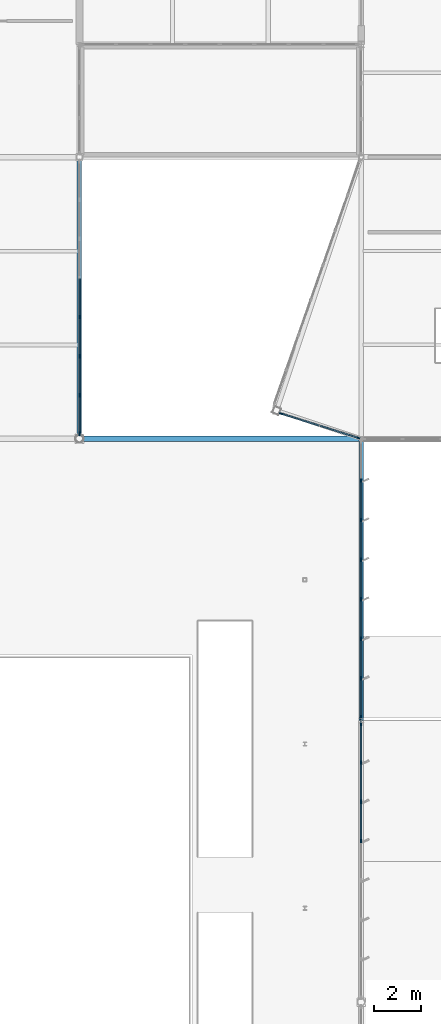
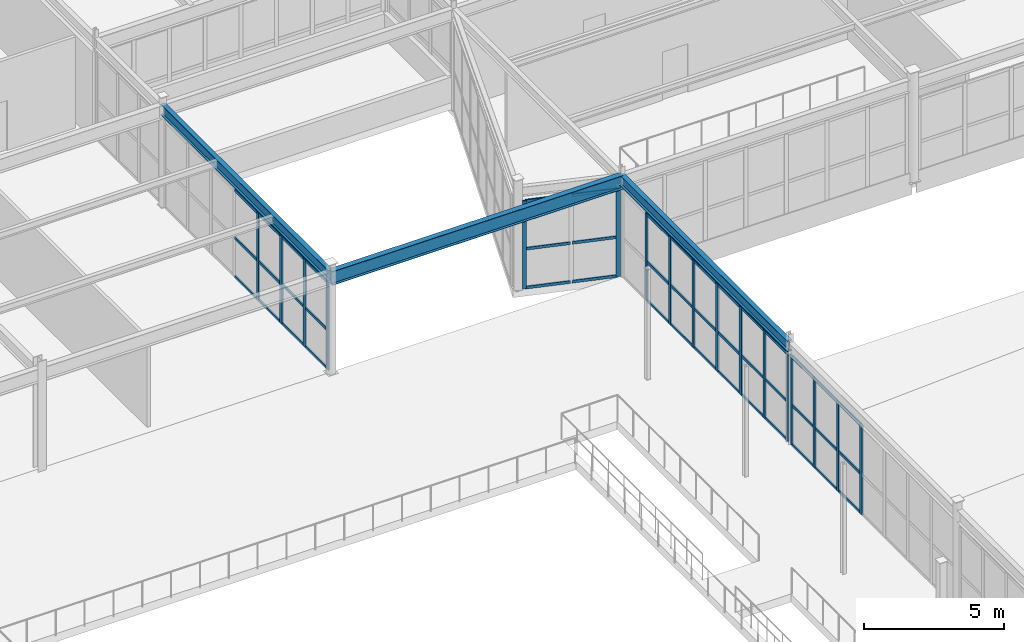
# One storey, part 120 of 226: 62 members, 3 beams, 4 elements without a shape of their own.
"""IFC4 building model written with IfcOpenShell, lengths in metres."""

import ifcopenshell
import ifcopenshell.guid

model = None  # the IFC model being written
_history = None  # IfcOwnerHistory: only IFC2X3 demands one
_inside = {}  # id of a spatial element -> (the spatial element, [elements in it])
_under = {}  # id of a project, library or spatial element -> (it, [spatial elements below it])
_declared = {}  # id of a project -> (the project, [libraries it declares])
_typed = {}  # id of a type object -> (the type object, [elements of that type])
_made_of = {}  # id of a material, layer set ... -> (it, [elements and type objects made of it])


def new_model(schema):
    """Start an empty IFC model of exactly this schema.

    Asked for "IFC4X3", IfcOpenShell would pick the latest addendum, in which some entities
    have other attributes; the version numbers below select the first issue.
    IFC2X3 requires an IfcOwnerHistory on every rooted entity: one is made here for all.
    """
    global model, _history
    if schema == "IFC4X3":
        model = ifcopenshell.file(schema_version=(4, 3, 0, 0))
    else:
        model = ifcopenshell.file(schema=schema)
    _inside.clear()
    _under.clear()
    _declared.clear()
    _typed.clear()
    _made_of.clear()
    _history = None
    if model.schema == "IFC2X3":
        org = make("IfcOrganization", Name="unknown")
        user = make(
            "IfcPersonAndOrganization",
            ThePerson=make("IfcPerson", FamilyName="unknown"),
            TheOrganization=org,
        )
        app = make(
            "IfcApplication",
            ApplicationDeveloper=org,
            Version="unknown",
            ApplicationFullName="unknown",
            ApplicationIdentifier="unknown",
        )
        _history = make(
            "IfcOwnerHistory",
            OwningUser=user,
            OwningApplication=app,
            ChangeAction="ADDED",
            CreationDate=0,
        )
    return model


def make(cls, **values):
    """One entity of the class cls with the attributes given. An attribute that is None is left unset."""
    return model.create_entity(
        cls, **{name: value for name, value in values.items() if value is not None}
    )


def rooted(cls, **values):
    """An entity with a GlobalId (a new one), such as an element, a storey or a relation."""
    return make(cls, GlobalId=ifcopenshell.guid.new(), OwnerHistory=_history, **values)


def si_unit(unit_type, name, prefix=None):
    """IfcSIUnit, for example si_unit("LENGTHUNIT", "METRE", prefix="MILLI")."""
    return make("IfcSIUnit", UnitType=unit_type, Prefix=prefix, Name=name)


def assignment(units):
    """IfcUnitAssignment: the units of a project."""
    return None if units is None else make("IfcUnitAssignment", Units=units)


def point(xyz):
    """IfcCartesianPoint."""
    return None if xyz is None else make("IfcCartesianPoint", Coordinates=xyz)


def direction(xyz):
    """IfcDirection."""
    return None if xyz is None else make("IfcDirection", DirectionRatios=xyz)


def frame(location, z_axis=None, x_axis=None):
    """IfcAxis2Placement3D, a coordinate frame: its origin and axes. An axis left out is left unset."""
    return make(
        "IfcAxis2Placement3D",
        Location=point(location),
        Axis=direction(z_axis),
        RefDirection=direction(x_axis),
    )


def frame_2d(location, x_axis=None):
    """IfcAxis2Placement2D, a coordinate frame in the plane: its origin and x axis."""
    return make(
        "IfcAxis2Placement2D", Location=point(location), RefDirection=direction(x_axis)
    )


def origin():
    """The frame at (0, 0, 0) with its axes left unset."""
    return frame((0.0, 0.0, 0.0))


def origin_2d():
    """The frame at (0, 0) in the plane with its x axis left unset."""
    return frame_2d((0.0, 0.0))


def place(relative_to, where):
    """IfcLocalPlacement: puts the frame where relative to a parent placement (None: the world)."""
    return make(
        "IfcLocalPlacement", PlacementRelTo=relative_to, RelativePlacement=where
    )


def context(
    kind, dimensions, precision=None, world=None, true_north=None, identifier=None
):
    """IfcGeometricRepresentationContext, for example the 3D "Model" context."""
    return make(
        "IfcGeometricRepresentationContext",
        ContextIdentifier=identifier,
        ContextType=kind,
        CoordinateSpaceDimension=dimensions,
        Precision=precision,
        WorldCoordinateSystem=world,
        TrueNorth=true_north,
    )


def subcontext(parent, identifier, kind, view, scale=None):
    """IfcGeometricRepresentationSubContext, for example "Body" below "Model"."""
    return make(
        "IfcGeometricRepresentationSubContext",
        ContextIdentifier=identifier,
        ContextType=kind,
        ParentContext=parent,
        TargetScale=scale,
        TargetView=view,
    )


def project(units=None, contexts=None):
    """IfcProject with its units and contexts."""
    return rooted(
        "IfcProject",
        Name="project",
        RepresentationContexts=contexts,
        UnitsInContext=assignment(units),
    )


def spatial(cls, under=None, at=None, **own):
    """A site, building, storey or space (cls), placed at a placement, below another one or the project."""
    s = rooted(cls, ObjectPlacement=at, **own)
    if under is not None:
        _under.setdefault(under.id(), (under, []))[1].append(s)
    return s


def profile(cls, at=None, kind="AREA", **sizes):
    """A parametric profile (cls). Its sizes go by their IFC names, for example OverallWidth=200.0."""
    return make(cls, ProfileType=kind, Position=at, **sizes)


def rectangle(**sizes):
    """IfcRectangleProfileDef."""
    return profile("IfcRectangleProfileDef", **sizes)


def i_section(**sizes):
    """IfcIShapeProfileDef."""
    return profile("IfcIShapeProfileDef", **sizes)


def extrude(swept, where, along, depth):
    """IfcExtrudedAreaSolid: the profile swept, set in the frame where, extruded along a direction by depth."""
    return make(
        "IfcExtrudedAreaSolid",
        SweptArea=swept,
        Position=where,
        ExtrudedDirection=direction(along),
        Depth=depth,
    )


def shape(context_of_items, identifier, shape_type, items):
    """IfcShapeRepresentation: the items that make up one representation, for example the "Body"."""
    return make(
        "IfcShapeRepresentation",
        ContextOfItems=context_of_items,
        RepresentationIdentifier=identifier,
        RepresentationType=shape_type,
        Items=items,
    )


def material(Name=None, Category=None):
    """IfcMaterial."""
    return make("IfcMaterial", Name=Name, Category=Category)


def layer(
    of_material, thickness, ventilated=None, Name=None, Category=None, Priority=None
):
    """IfcMaterialLayer: one layer of a wall or slab, of a material (None: an air gap)."""
    return make(
        "IfcMaterialLayer",
        Material=of_material,
        LayerThickness=thickness,
        IsVentilated=ventilated,
        Name=Name,
        Category=Category,
        Priority=Priority,
    )


def layer_set(layers, Name=None):
    """IfcMaterialLayerSet."""
    return make("IfcMaterialLayerSet", MaterialLayers=layers, LayerSetName=Name)


def material_profile(
    of_material, cross_section, Name=None, Category=None, Priority=None
):
    """IfcMaterialProfile: a cross section and its material."""
    return make(
        "IfcMaterialProfile",
        Name=Name,
        Material=of_material,
        Profile=cross_section,
        Priority=Priority,
        Category=Category,
    )


def profile_set(profiles, Name=None, composite=None):
    """IfcMaterialProfileSet."""
    return make(
        "IfcMaterialProfileSet",
        Name=Name,
        MaterialProfiles=profiles,
        CompositeProfile=composite,
    )


def made_of(thing, what):
    """Note that an element or type object is made of a material, layer set ...; save() writes the relation."""
    if what is not None:
        _made_of.setdefault(what.id(), (what, []))[1].append(thing)
    return thing


def type_object(cls, material=None, **own):
    """A type object (cls), such as IfcWallType, which elements share."""
    return made_of(rooted(cls, **own), material)


def element(
    cls,
    number,
    at=None,
    inside=None,
    cuts=None,
    type_object=None,
    material=None,
    context=None,
    identifier="Body",
    shape_type=None,
    held_by="IfcProductDefinitionShape",
    body=None,
    shapes=None,
    **own,
):
    """One element of the class cls, such as IfcWall. Its Tag is "e" and its number.

    at: its placement. inside: the storey or other place that contains it. cuts: it is an
    opening in that element (IfcRelVoidsElement). A single representation is given by context,
    identifier, shape_type and body (its items); several are given by shapes. held_by: the class
    of the entity that holds the representations. save() writes the other relations.
    """
    e = rooted(cls, Tag="e%d" % number, ObjectPlacement=at, **own)
    if body is not None:
        shapes = [shape(context, identifier, shape_type, body)]
    if shapes is not None:
        e.Representation = make(held_by, Representations=shapes)
    if inside is not None:
        _inside.setdefault(inside.id(), (inside, []))[1].append(e)
    if cuts is not None:
        rooted(
            "IfcRelVoidsElement", RelatingBuildingElement=cuts, RelatedOpeningElement=e
        )
    if type_object is not None:
        _typed.setdefault(type_object.id(), (type_object, []))[1].append(e)
    return made_of(e, material)


def aggregate(whole, parts):
    """IfcRelAggregates: a whole, such as a stair, and the parts it consists of."""
    return rooted("IfcRelAggregates", RelatingObject=whole, RelatedObjects=parts)


def save(model, path):
    """Write the relations noted so far, then the file.

    IfcRelAggregates (storeys below a building ...), IfcRelContainedInSpatialStructure (elements
    in a storey), IfcRelDefinesByType, IfcRelAssociatesMaterial and IfcRelDeclares: one each for
    every whole, place, type object, material and project.
    """
    for whole, parts in _under.values():
        aggregate(whole, parts)
    for where, things in _inside.values():
        rooted(
            "IfcRelContainedInSpatialStructure",
            RelatedElements=things,
            RelatingStructure=where,
        )
    for kind, things in _typed.values():
        rooted("IfcRelDefinesByType", RelatedObjects=things, RelatingType=kind)
    for what, things in _made_of.values():
        rooted("IfcRelAssociatesMaterial", RelatedObjects=things, RelatingMaterial=what)
    for by, libraries in _declared.values():
        rooted("IfcRelDeclares", RelatingContext=by, RelatedDefinitions=libraries)
    model.write(path)


model = new_model("IFC4")

# Units and contexts
model_context = context("Model", 3, precision=1e-05, world=origin(), true_north=direction((0.0, 1.0)))
body_context = subcontext(model_context, "Body", "Model", "MODEL_VIEW")
ifc_project = project(units=[si_unit("LENGTHUNIT", "METRE"), si_unit("AREAUNIT", "SQUARE_METRE"), si_unit("VOLUMEUNIT", "CUBIC_METRE"), si_unit("PLANEANGLEUNIT", "RADIAN"), si_unit("MASSUNIT", "GRAM", prefix="KILO")], contexts=[model_context])

# Site, building, storey
site_placement = place(None, origin())
site = spatial("IfcSite", under=ifc_project, at=site_placement, CompositionType="ELEMENT")
building_placement = place(site_placement, origin())
building = spatial("IfcBuilding", under=site, at=building_placement, Name="Tarnwether General Hospital", CompositionType="ELEMENT")
storey_placement = place(building_placement, frame((0.0, 0.0, 4.800048828125)))
storey = spatial("IfcBuildingStorey", under=building, at=storey_placement, Name="L01", CompositionType="ELEMENT", Elevation=4.800048828125)

# Beams
ifc_material_1 = material(Name="Steel Grade 350 (350 MPa)", Category="steel")
ifc_material_profile_1 = material_profile(ifc_material_1, i_section(OverallWidth=0.22802734375, OverallDepth=0.60205078125, WebThickness=0.010498046875, FlangeThickness=0.014892578125, at=origin_2d()), Name="610UB101")
ifc_profile_set_1 = profile_set([ifc_material_profile_1], Name="Steel Grade 350 (350 MPa)")
beam_type_1 = type_object("IfcBeamType", Name="BM-G05", PredefinedType="BEAM", material=ifc_profile_set_1)
beam_placement = place(storey_placement, frame((132.0, 81.60009765625, 4.14404296875), z_axis=(1.0, 0.0, 0.0), x_axis=(0.0, 1.0, 0.0)))
element("IfcBeam", 1, at=beam_placement, inside=storey, type_object=beam_type_1, Name="Primary Girder BMG-L01-13200_8160-14400_8160-1201", PredefinedType="BEAM", context=body_context, shape_type="SweptSolid", body=[
    extrude(i_section(OverallWidth=0.22802734375, OverallDepth=0.60205078125, WebThickness=0.010498046875, FlangeThickness=0.014892578125, at=origin_2d()), origin(), (0.0, 0.0, 1.0), 12.0),
])
ifc_material_2 = material(Name="Steel Grade 350 (350 MPa)", Category="steel")
ifc_material_profile_2 = material_profile(ifc_material_2, i_section(OverallWidth=0.19091796875, OverallDepth=0.4599609375, WebThickness=0.010009765625, FlangeThickness=0.01611328125, at=origin_2d()), Name="460UB82.1")
ifc_profile_set_2 = profile_set([ifc_material_profile_2], Name="Steel Grade 350 (350 MPa)")
beam_type_2 = type_object("IfcBeamType", Name="BM-G08", PredefinedType="BEAM", material=ifc_profile_set_2)
for number, where, z_axis, x_axis, name in (
    (2, (132.0, 81.60009765625, 4.21484375), (0.0, 1.0, 0.0), (-1.0, 0.0, 0.0), "Primary Girder BMG-L01-13200_8160-13200_9360-1202"),
    (3, (144.0, 69.60009765625, 4.21484375), (0.0, 1.0, 0.0), (-1.0, 0.0, 0.0), "Primary Girder BMG-L01-14400_6960-14400_8160-1221"),
):
    element("IfcBeam", number, at=place(storey_placement, frame(where, z_axis=z_axis, x_axis=x_axis)), inside=storey, type_object=beam_type_2, Name=name, PredefinedType="BEAM", context=body_context, shape_type="SweptSolid", body=[
        extrude(i_section(OverallWidth=0.19091796875, OverallDepth=0.4599609375, WebThickness=0.010009765625, FlangeThickness=0.01611328125, at=origin_2d()), origin(), (0.0, 0.0, 1.0), 12.0),
    ])

# Curtain wall, members
ifc_material_3 = material(Name="Anodised aluminium", Category="aluminium")
ifc_layer_1 = layer(ifc_material_3, 0.179931640625)
ifc_layer_set_1 = layer_set([ifc_layer_1], Name="Anodised aluminium")
curtain_wall_type_1 = type_object("IfcCurtainWallType", Name="CW-06", PredefinedType="NOTDEFINED", material=ifc_layer_set_1)
curtain_wall_1_placement = place(storey_placement, origin())
curtain_wall_1 = element("IfcCurtainWall", 4, at=curtain_wall_1_placement, inside=storey, type_object=curtain_wall_type_1, Name="Curtain Wall CWG-L01-1440_815-0336", PredefinedType="NOTDEFINED")
ifc_material_4 = material(Name="Anodised aluminium", Category="aluminium")
ifc_material_profile_3 = material_profile(ifc_material_4, rectangle(XDim=0.06005859375, YDim=0.159912109375, at=origin_2d()), Name="ALU-MUL-60x160")
ifc_profile_set_3 = profile_set([ifc_material_profile_3], Name="Anodised aluminium")
member_type_1 = type_object("IfcMemberType", Name="CW-ML1", PredefinedType="MULLION", material=ifc_profile_set_3)
member_1_placement = place(storey_placement, frame((144.0, 79.824951171875, 0.0), z_axis=(0.0, 0.0, 1.0), x_axis=(1.0, 0.0, 0.0)))
member_1 = element("IfcMember", 5, at=member_1_placement, type_object=member_type_1, Name="CW-06 mullion 2", PredefinedType="MULLION", context=body_context, shape_type="SweptSolid", body=[
    extrude(rectangle(XDim=0.06005859375, YDim=0.159912109375, at=origin_2d()), origin(), (0.0, 0.0, 1.0), 3.827880859375),
])
member_2_placement = place(storey_placement, frame((144.0, 78.138916015625, 0.0), z_axis=(0.0, 0.0, 1.0), x_axis=(1.0, 0.0, 0.0)))
member_2 = element("IfcMember", 6, at=member_2_placement, type_object=member_type_1, Name="CW-06 mullion 3", PredefinedType="MULLION", context=body_context, shape_type="SweptSolid", body=[
    extrude(rectangle(XDim=0.06005859375, YDim=0.159912109375, at=origin_2d()), origin(), (0.0, 0.0, 1.0), 3.827880859375),
])
member_3_placement = place(storey_placement, frame((144.0, 76.452880859375, 0.0), z_axis=(0.0, 0.0, 1.0), x_axis=(1.0, 0.0, 0.0)))
member_3 = element("IfcMember", 7, at=member_3_placement, type_object=member_type_1, Name="CW-06 mullion 4", PredefinedType="MULLION", context=body_context, shape_type="SweptSolid", body=[
    extrude(rectangle(XDim=0.06005859375, YDim=0.159912109375, at=origin_2d()), origin(), (0.0, 0.0, 1.0), 3.827880859375),
])
member_4_placement = place(storey_placement, frame((144.0, 74.76708984375, 0.0), z_axis=(0.0, 0.0, 1.0), x_axis=(1.0, 0.0, 0.0)))
member_4 = element("IfcMember", 8, at=member_4_placement, type_object=member_type_1, Name="CW-06 mullion 5", PredefinedType="MULLION", context=body_context, shape_type="SweptSolid", body=[
    extrude(rectangle(XDim=0.06005859375, YDim=0.159912109375, at=origin_2d()), origin(), (0.0, 0.0, 1.0), 3.827880859375),
])
member_5_placement = place(storey_placement, frame((144.0, 73.0810546875, 0.0), z_axis=(0.0, 0.0, 1.0), x_axis=(1.0, 0.0, 0.0)))
member_5 = element("IfcMember", 9, at=member_5_placement, type_object=member_type_1, Name="CW-06 mullion 6", PredefinedType="MULLION", context=body_context, shape_type="SweptSolid", body=[
    extrude(rectangle(XDim=0.06005859375, YDim=0.159912109375, at=origin_2d()), origin(), (0.0, 0.0, 1.0), 3.827880859375),
])
member_6_placement = place(storey_placement, frame((144.0, 71.39501953125, 0.0), z_axis=(0.0, 0.0, 1.0), x_axis=(1.0, 0.0, 0.0)))
member_6 = element("IfcMember", 10, at=member_6_placement, type_object=member_type_1, Name="CW-06 mullion 7", PredefinedType="MULLION", context=body_context, shape_type="SweptSolid", body=[
    extrude(rectangle(XDim=0.06005859375, YDim=0.159912109375, at=origin_2d()), origin(), (0.0, 0.0, 1.0), 3.827880859375),
])
member_7_placement = place(storey_placement, frame((144.0, 69.739013671875, 0.0), z_axis=(0.0, 0.0, 1.0), x_axis=(1.0, 0.0, 0.0)))
member_7 = element("IfcMember", 11, at=member_7_placement, type_object=member_type_1, Name="CW-06 mullion 8", PredefinedType="MULLION", context=body_context, shape_type="SweptSolid", body=[
    extrude(rectangle(XDim=0.06005859375, YDim=0.159912109375, at=origin_2d()), origin(), (0.0, 0.0, 1.0), 3.827880859375),
])

curtain_wall_2_placement = place(storey_placement, origin())
curtain_wall_2 = element("IfcCurtainWall", 12, at=curtain_wall_2_placement, inside=storey, type_object=curtain_wall_type_1, Name="Curtain Wall CWG-L01-1440_695-0337", PredefinedType="NOTDEFINED")
member_8_placement = place(storey_placement, frame((144.0, 69.4599609375, 0.0), z_axis=(0.0, 0.0, 1.0), x_axis=(1.0, 0.0, 0.0)))
member_8 = element("IfcMember", 13, at=member_8_placement, type_object=member_type_1, Name="CW-06 mullion 1", PredefinedType="MULLION", context=body_context, shape_type="SweptSolid", body=[
    extrude(rectangle(XDim=0.06005859375, YDim=0.159912109375, at=origin_2d()), origin(), (0.0, 0.0, 1.0), 3.89697265625),
])
member_9_placement = place(storey_placement, frame((144.0, 67.815673828125, 0.0), z_axis=(0.0, 0.0, 1.0), x_axis=(1.0, 0.0, 0.0)))
member_9 = element("IfcMember", 14, at=member_9_placement, type_object=member_type_1, Name="CW-06 mullion 2", PredefinedType="MULLION", context=body_context, shape_type="SweptSolid", body=[
    extrude(rectangle(XDim=0.06005859375, YDim=0.159912109375, at=origin_2d()), origin(), (0.0, 0.0, 1.0), 3.89697265625),
])
member_10_placement = place(storey_placement, frame((144.0, 66.141357421875, 0.0), z_axis=(0.0, 0.0, 1.0), x_axis=(1.0, 0.0, 0.0)))
member_10 = element("IfcMember", 15, at=member_10_placement, type_object=member_type_1, Name="CW-06 mullion 3", PredefinedType="MULLION", context=body_context, shape_type="SweptSolid", body=[
    extrude(rectangle(XDim=0.06005859375, YDim=0.159912109375, at=origin_2d()), origin(), (0.0, 0.0, 1.0), 3.89697265625),
])
member_11_placement = place(storey_placement, frame((144.0, 64.467041015625, 0.0), z_axis=(0.0, 0.0, 1.0), x_axis=(1.0, 0.0, 0.0)))
member_11 = element("IfcMember", 16, at=member_11_placement, type_object=member_type_1, Name="CW-06 mullion 4", PredefinedType="MULLION", context=body_context, shape_type="SweptSolid", body=[
    extrude(rectangle(XDim=0.06005859375, YDim=0.159912109375, at=origin_2d()), origin(), (0.0, 0.0, 1.0), 3.89697265625),
])

ifc_material_5 = material(Name="Anodised aluminium", Category="aluminium")
ifc_layer_2 = layer(ifc_material_5, 0.159912109375)
ifc_layer_set_2 = layer_set([ifc_layer_2], Name="Anodised aluminium")
curtain_wall_type_2 = type_object("IfcCurtainWallType", Name="CW-15", PredefinedType="NOTDEFINED", material=ifc_layer_set_2)
curtain_wall_3_placement = place(storey_placement, origin())
curtain_wall_3 = element("IfcCurtainWall", 17, at=curtain_wall_3_placement, inside=storey, type_object=curtain_wall_type_2, Name="Curtain Wall CWG-L01-1320_935-0371", PredefinedType="NOTDEFINED")
member_12_placement = place(storey_placement, frame((132.0, 86.787109375, 0.0), z_axis=(0.0, 0.0, 1.0), x_axis=(1.0, 0.0, 0.0)))
member_12 = element("IfcMember", 18, at=member_12_placement, type_object=member_type_1, Name="CW-15 mullion 5", PredefinedType="MULLION", context=body_context, shape_type="SweptSolid", body=[
    extrude(rectangle(XDim=0.06005859375, YDim=0.159912109375, at=origin_2d()), origin(), (0.0, 0.0, 1.0), 3.822998046875),
])
member_13_placement = place(storey_placement, frame((132.0, 85.1201171875, 0.0), z_axis=(0.0, 0.0, 1.0), x_axis=(1.0, 0.0, 0.0)))
member_13 = element("IfcMember", 19, at=member_13_placement, type_object=member_type_1, Name="CW-15 mullion 6", PredefinedType="MULLION", context=body_context, shape_type="SweptSolid", body=[
    extrude(rectangle(XDim=0.06005859375, YDim=0.159912109375, at=origin_2d()), origin(), (0.0, 0.0, 1.0), 3.822998046875),
])
member_14_placement = place(storey_placement, frame((132.0, 83.452880859375, 0.0), z_axis=(0.0, 0.0, 1.0), x_axis=(1.0, 0.0, 0.0)))
member_14 = element("IfcMember", 20, at=member_14_placement, type_object=member_type_1, Name="CW-15 mullion 7", PredefinedType="MULLION", context=body_context, shape_type="SweptSolid", body=[
    extrude(rectangle(XDim=0.06005859375, YDim=0.159912109375, at=origin_2d()), origin(), (0.0, 0.0, 1.0), 3.822998046875),
])
member_15_placement = place(storey_placement, frame((132.0, 81.81591796875, 0.0), z_axis=(0.0, 0.0, 1.0), x_axis=(1.0, 0.0, 0.0)))
member_15 = element("IfcMember", 21, at=member_15_placement, type_object=member_type_1, Name="CW-15 mullion 8", PredefinedType="MULLION", context=body_context, shape_type="SweptSolid", body=[
    extrude(rectangle(XDim=0.06005859375, YDim=0.159912109375, at=origin_2d()), origin(), (0.0, 0.0, 1.0), 3.822998046875),
])

curtain_wall_4_placement = place(storey_placement, origin())
curtain_wall_4 = element("IfcCurtainWall", 22, at=curtain_wall_4_placement, inside=storey, type_object=curtain_wall_type_2, Name="Curtain Wall CWG-L01-1439_816-0372", PredefinedType="NOTDEFINED")
member_16_placement = place(storey_placement, frame((143.870361328125, 81.64111328125, 0.0), z_axis=(0.0, 0.0, 1.0), x_axis=(-0.300980602289, -0.953630262233, 0.0)))
member_16 = element("IfcMember", 23, at=member_16_placement, type_object=member_type_1, Name="CW-15 mullion 1", PredefinedType="MULLION", context=body_context, shape_type="SweptSolid", body=[
    extrude(rectangle(XDim=0.06005859375, YDim=0.159912109375, at=origin_2d()), origin(), (0.0, 0.0, 1.0), 3.827880859375),
])
member_17_placement = place(storey_placement, frame((140.59765625, 82.674072265625, 0.0), z_axis=(0.0, 0.0, 1.0), x_axis=(-0.300980602289, -0.953630262233, 0.0)))
member_17 = element("IfcMember", 24, at=member_17_placement, type_object=member_type_1, Name="CW-15 mullion 3", PredefinedType="MULLION", context=body_context, shape_type="SweptSolid", body=[
    extrude(rectangle(XDim=0.06005859375, YDim=0.159912109375, at=origin_2d()), origin(), (0.0, 0.0, 1.0), 3.827880859375),
])

# Member
ifc_material_6 = material(Name="Anodised aluminium", Category="aluminium")
ifc_material_profile_4 = material_profile(ifc_material_6, rectangle(XDim=0.06005859375, YDim=0.1201171875, at=origin_2d()), Name="ALU-TRN-60x120")
ifc_profile_set_4 = profile_set([ifc_material_profile_4], Name="Anodised aluminium")
member_type_2 = type_object("IfcMemberType", Name="CW-TR1", PredefinedType="USERDEFINED", material=ifc_profile_set_4)
member_18_placement = place(storey_placement, frame((144.0, 79.794921875, 0.030029296875), z_axis=(0.0, -1.0, 0.0), x_axis=(1.0, 0.0, 0.0)))
member_18 = element("IfcMember", 25, at=member_18_placement, type_object=member_type_2, Name="CW-06 transom 2.1", ObjectType="TRANSOM", PredefinedType="USERDEFINED", context=body_context, shape_type="SweptSolid", body=[
    extrude(rectangle(XDim=0.06005859375, YDim=0.1201171875, at=origin_2d()), origin(), (0.0, 0.0, 1.0), 1.6259765625),
])

member_19_placement = place(storey_placement, frame((144.0, 79.794921875, 1.72265625), z_axis=(0.0, -1.0, 0.0), x_axis=(1.0, 0.0, 0.0)))
member_19 = element("IfcMember", 26, at=member_19_placement, type_object=member_type_2, Name="CW-06 transom 2.2", ObjectType="TRANSOM", PredefinedType="USERDEFINED", context=body_context, shape_type="SweptSolid", body=[
    extrude(rectangle(XDim=0.06005859375, YDim=0.1201171875, at=origin_2d()), origin(), (0.0, 0.0, 1.0), 1.6259765625),
])

member_20_placement = place(storey_placement, frame((144.0, 79.794921875, 3.7978515625), z_axis=(0.0, -1.0, 0.0), x_axis=(1.0, 0.0, 0.0)))
member_20 = element("IfcMember", 27, at=member_20_placement, type_object=member_type_2, Name="CW-06 transom 2.3", ObjectType="TRANSOM", PredefinedType="USERDEFINED", context=body_context, shape_type="SweptSolid", body=[
    extrude(rectangle(XDim=0.06005859375, YDim=0.1201171875, at=origin_2d()), origin(), (0.0, 0.0, 1.0), 1.6259765625),
])

member_21_placement = place(storey_placement, frame((144.0, 78.10888671875, 0.030029296875), z_axis=(0.0, -1.0, 0.0), x_axis=(1.0, 0.0, 0.0)))
member_21 = element("IfcMember", 28, at=member_21_placement, type_object=member_type_2, Name="CW-06 transom 3.1", ObjectType="TRANSOM", PredefinedType="USERDEFINED", context=body_context, shape_type="SweptSolid", body=[
    extrude(rectangle(XDim=0.06005859375, YDim=0.1201171875, at=origin_2d()), origin(), (0.0, 0.0, 1.0), 1.6259765625),
])

member_22_placement = place(storey_placement, frame((144.0, 78.10888671875, 1.72265625), z_axis=(0.0, -1.0, 0.0), x_axis=(1.0, 0.0, 0.0)))
member_22 = element("IfcMember", 29, at=member_22_placement, type_object=member_type_2, Name="CW-06 transom 3.2", ObjectType="TRANSOM", PredefinedType="USERDEFINED", context=body_context, shape_type="SweptSolid", body=[
    extrude(rectangle(XDim=0.06005859375, YDim=0.1201171875, at=origin_2d()), origin(), (0.0, 0.0, 1.0), 1.6259765625),
])

member_23_placement = place(storey_placement, frame((144.0, 78.10888671875, 3.7978515625), z_axis=(0.0, -1.0, 0.0), x_axis=(1.0, 0.0, 0.0)))
member_23 = element("IfcMember", 30, at=member_23_placement, type_object=member_type_2, Name="CW-06 transom 3.3", ObjectType="TRANSOM", PredefinedType="USERDEFINED", context=body_context, shape_type="SweptSolid", body=[
    extrude(rectangle(XDim=0.06005859375, YDim=0.1201171875, at=origin_2d()), origin(), (0.0, 0.0, 1.0), 1.6259765625),
])

member_24_placement = place(storey_placement, frame((144.0, 76.423095703125, 0.030029296875), z_axis=(0.0, -1.0, 0.0), x_axis=(1.0, 0.0, 0.0)))
member_24 = element("IfcMember", 31, at=member_24_placement, type_object=member_type_2, Name="CW-06 transom 4.1", ObjectType="TRANSOM", PredefinedType="USERDEFINED", context=body_context, shape_type="SweptSolid", body=[
    extrude(rectangle(XDim=0.06005859375, YDim=0.1201171875, at=origin_2d()), origin(), (0.0, 0.0, 1.0), 1.6259765625),
])

member_25_placement = place(storey_placement, frame((144.0, 76.423095703125, 1.72265625), z_axis=(0.0, -1.0, 0.0), x_axis=(1.0, 0.0, 0.0)))
member_25 = element("IfcMember", 32, at=member_25_placement, type_object=member_type_2, Name="CW-06 transom 4.2", ObjectType="TRANSOM", PredefinedType="USERDEFINED", context=body_context, shape_type="SweptSolid", body=[
    extrude(rectangle(XDim=0.06005859375, YDim=0.1201171875, at=origin_2d()), origin(), (0.0, 0.0, 1.0), 1.6259765625),
])

member_26_placement = place(storey_placement, frame((144.0, 76.423095703125, 3.7978515625), z_axis=(0.0, -1.0, 0.0), x_axis=(1.0, 0.0, 0.0)))
member_26 = element("IfcMember", 33, at=member_26_placement, type_object=member_type_2, Name="CW-06 transom 4.3", ObjectType="TRANSOM", PredefinedType="USERDEFINED", context=body_context, shape_type="SweptSolid", body=[
    extrude(rectangle(XDim=0.06005859375, YDim=0.1201171875, at=origin_2d()), origin(), (0.0, 0.0, 1.0), 1.6259765625),
])

member_27_placement = place(storey_placement, frame((144.0, 74.737060546875, 0.030029296875), z_axis=(0.0, -1.0, 0.0), x_axis=(1.0, 0.0, 0.0)))
member_27 = element("IfcMember", 34, at=member_27_placement, type_object=member_type_2, Name="CW-06 transom 5.1", ObjectType="TRANSOM", PredefinedType="USERDEFINED", context=body_context, shape_type="SweptSolid", body=[
    extrude(rectangle(XDim=0.06005859375, YDim=0.1201171875, at=origin_2d()), origin(), (0.0, 0.0, 1.0), 1.6259765625),
])

member_28_placement = place(storey_placement, frame((144.0, 74.737060546875, 1.72265625), z_axis=(0.0, -1.0, 0.0), x_axis=(1.0, 0.0, 0.0)))
member_28 = element("IfcMember", 35, at=member_28_placement, type_object=member_type_2, Name="CW-06 transom 5.2", ObjectType="TRANSOM", PredefinedType="USERDEFINED", context=body_context, shape_type="SweptSolid", body=[
    extrude(rectangle(XDim=0.06005859375, YDim=0.1201171875, at=origin_2d()), origin(), (0.0, 0.0, 1.0), 1.6259765625),
])

member_29_placement = place(storey_placement, frame((144.0, 74.737060546875, 3.7978515625), z_axis=(0.0, -1.0, 0.0), x_axis=(1.0, 0.0, 0.0)))
member_29 = element("IfcMember", 36, at=member_29_placement, type_object=member_type_2, Name="CW-06 transom 5.3", ObjectType="TRANSOM", PredefinedType="USERDEFINED", context=body_context, shape_type="SweptSolid", body=[
    extrude(rectangle(XDim=0.06005859375, YDim=0.1201171875, at=origin_2d()), origin(), (0.0, 0.0, 1.0), 1.6259765625),
])

member_30_placement = place(storey_placement, frame((144.0, 73.051025390625, 0.030029296875), z_axis=(0.0, -1.0, 0.0), x_axis=(1.0, 0.0, 0.0)))
member_30 = element("IfcMember", 37, at=member_30_placement, type_object=member_type_2, Name="CW-06 transom 6.1", ObjectType="TRANSOM", PredefinedType="USERDEFINED", context=body_context, shape_type="SweptSolid", body=[
    extrude(rectangle(XDim=0.06005859375, YDim=0.1201171875, at=origin_2d()), origin(), (0.0, 0.0, 1.0), 1.6259765625),
])

member_31_placement = place(storey_placement, frame((144.0, 73.051025390625, 1.72265625), z_axis=(0.0, -1.0, 0.0), x_axis=(1.0, 0.0, 0.0)))
member_31 = element("IfcMember", 38, at=member_31_placement, type_object=member_type_2, Name="CW-06 transom 6.2", ObjectType="TRANSOM", PredefinedType="USERDEFINED", context=body_context, shape_type="SweptSolid", body=[
    extrude(rectangle(XDim=0.06005859375, YDim=0.1201171875, at=origin_2d()), origin(), (0.0, 0.0, 1.0), 1.6259765625),
])

member_32_placement = place(storey_placement, frame((144.0, 73.051025390625, 3.7978515625), z_axis=(0.0, -1.0, 0.0), x_axis=(1.0, 0.0, 0.0)))
member_32 = element("IfcMember", 39, at=member_32_placement, type_object=member_type_2, Name="CW-06 transom 6.3", ObjectType="TRANSOM", PredefinedType="USERDEFINED", context=body_context, shape_type="SweptSolid", body=[
    extrude(rectangle(XDim=0.06005859375, YDim=0.1201171875, at=origin_2d()), origin(), (0.0, 0.0, 1.0), 1.6259765625),
])

member_33_placement = place(storey_placement, frame((144.0, 71.364990234375, 0.030029296875), z_axis=(0.0, -1.0, 0.0), x_axis=(1.0, 0.0, 0.0)))
member_33 = element("IfcMember", 40, at=member_33_placement, type_object=member_type_2, Name="CW-06 transom 7.1", ObjectType="TRANSOM", PredefinedType="USERDEFINED", context=body_context, shape_type="SweptSolid", body=[
    extrude(rectangle(XDim=0.06005859375, YDim=0.1201171875, at=origin_2d()), origin(), (0.0, 0.0, 1.0), 1.595947265625),
])

member_34_placement = place(storey_placement, frame((144.0, 71.364990234375, 1.72265625), z_axis=(0.0, -1.0, 0.0), x_axis=(1.0, 0.0, 0.0)))
member_34 = element("IfcMember", 41, at=member_34_placement, type_object=member_type_2, Name="CW-06 transom 7.2", ObjectType="TRANSOM", PredefinedType="USERDEFINED", context=body_context, shape_type="SweptSolid", body=[
    extrude(rectangle(XDim=0.06005859375, YDim=0.1201171875, at=origin_2d()), origin(), (0.0, 0.0, 1.0), 1.595947265625),
])

member_35_placement = place(storey_placement, frame((144.0, 71.364990234375, 3.7978515625), z_axis=(0.0, -1.0, 0.0), x_axis=(1.0, 0.0, 0.0)))
member_35 = element("IfcMember", 42, at=member_35_placement, type_object=member_type_2, Name="CW-06 transom 7.3", ObjectType="TRANSOM", PredefinedType="USERDEFINED", context=body_context, shape_type="SweptSolid", body=[
    extrude(rectangle(XDim=0.06005859375, YDim=0.1201171875, at=origin_2d()), origin(), (0.0, 0.0, 1.0), 1.595947265625),
])

aggregate(curtain_wall_1, [member_1, member_2, member_3, member_4, member_5, member_6, member_7, member_18, member_19, member_20, member_21, member_22, member_23, member_24, member_25, member_26, member_27, member_28, member_29, member_30, member_31, member_32, member_33, member_34, member_35])

member_36_placement = place(storey_placement, frame((144.0, 69.429931640625, 0.030029296875), z_axis=(0.0, -1.0, 0.0), x_axis=(1.0, 0.0, 0.0)))
member_36 = element("IfcMember", 43, at=member_36_placement, type_object=member_type_2, Name="CW-06 transom 1.1", ObjectType="TRANSOM", PredefinedType="USERDEFINED", context=body_context, shape_type="SweptSolid", body=[
    extrude(rectangle(XDim=0.06005859375, YDim=0.1201171875, at=origin_2d()), origin(), (0.0, 0.0, 1.0), 1.584228515625),
])

member_37_placement = place(storey_placement, frame((144.0, 69.429931640625, 1.753662109375), z_axis=(0.0, -1.0, 0.0), x_axis=(1.0, 0.0, 0.0)))
member_37 = element("IfcMember", 44, at=member_37_placement, type_object=member_type_2, Name="CW-06 transom 1.2", ObjectType="TRANSOM", PredefinedType="USERDEFINED", context=body_context, shape_type="SweptSolid", body=[
    extrude(rectangle(XDim=0.06005859375, YDim=0.1201171875, at=origin_2d()), origin(), (0.0, 0.0, 1.0), 1.584228515625),
])

member_38_placement = place(storey_placement, frame((144.0, 69.429931640625, 3.866943359375), z_axis=(0.0, -1.0, 0.0), x_axis=(1.0, 0.0, 0.0)))
member_38 = element("IfcMember", 45, at=member_38_placement, type_object=member_type_2, Name="CW-06 transom 1.3", ObjectType="TRANSOM", PredefinedType="USERDEFINED", context=body_context, shape_type="SweptSolid", body=[
    extrude(rectangle(XDim=0.06005859375, YDim=0.1201171875, at=origin_2d()), origin(), (0.0, 0.0, 1.0), 1.584228515625),
])

member_39_placement = place(storey_placement, frame((144.0, 67.78564453125, 0.030029296875), z_axis=(0.0, -1.0, 0.0), x_axis=(1.0, 0.0, 0.0)))
member_39 = element("IfcMember", 46, at=member_39_placement, type_object=member_type_2, Name="CW-06 transom 2.1", ObjectType="TRANSOM", PredefinedType="USERDEFINED", context=body_context, shape_type="SweptSolid", body=[
    extrude(rectangle(XDim=0.06005859375, YDim=0.1201171875, at=origin_2d()), origin(), (0.0, 0.0, 1.0), 1.6142578125),
])

member_40_placement = place(storey_placement, frame((144.0, 67.78564453125, 1.753662109375), z_axis=(0.0, -1.0, 0.0), x_axis=(1.0, 0.0, 0.0)))
member_40 = element("IfcMember", 47, at=member_40_placement, type_object=member_type_2, Name="CW-06 transom 2.2", ObjectType="TRANSOM", PredefinedType="USERDEFINED", context=body_context, shape_type="SweptSolid", body=[
    extrude(rectangle(XDim=0.06005859375, YDim=0.1201171875, at=origin_2d()), origin(), (0.0, 0.0, 1.0), 1.6142578125),
])

member_41_placement = place(storey_placement, frame((144.0, 67.78564453125, 3.866943359375), z_axis=(0.0, -1.0, 0.0), x_axis=(1.0, 0.0, 0.0)))
member_41 = element("IfcMember", 48, at=member_41_placement, type_object=member_type_2, Name="CW-06 transom 2.3", ObjectType="TRANSOM", PredefinedType="USERDEFINED", context=body_context, shape_type="SweptSolid", body=[
    extrude(rectangle(XDim=0.06005859375, YDim=0.1201171875, at=origin_2d()), origin(), (0.0, 0.0, 1.0), 1.6142578125),
])

member_42_placement = place(storey_placement, frame((144.0, 66.111328125, 0.030029296875), z_axis=(0.0, -1.0, 0.0), x_axis=(1.0, 0.0, 0.0)))
member_42 = element("IfcMember", 49, at=member_42_placement, type_object=member_type_2, Name="CW-06 transom 3.1", ObjectType="TRANSOM", PredefinedType="USERDEFINED", context=body_context, shape_type="SweptSolid", body=[
    extrude(rectangle(XDim=0.06005859375, YDim=0.1201171875, at=origin_2d()), origin(), (0.0, 0.0, 1.0), 1.6142578125),
])

member_43_placement = place(storey_placement, frame((144.0, 66.111328125, 1.753662109375), z_axis=(0.0, -1.0, 0.0), x_axis=(1.0, 0.0, 0.0)))
member_43 = element("IfcMember", 50, at=member_43_placement, type_object=member_type_2, Name="CW-06 transom 3.2", ObjectType="TRANSOM", PredefinedType="USERDEFINED", context=body_context, shape_type="SweptSolid", body=[
    extrude(rectangle(XDim=0.06005859375, YDim=0.1201171875, at=origin_2d()), origin(), (0.0, 0.0, 1.0), 1.6142578125),
])

member_44_placement = place(storey_placement, frame((144.0, 66.111328125, 3.866943359375), z_axis=(0.0, -1.0, 0.0), x_axis=(1.0, 0.0, 0.0)))
member_44 = element("IfcMember", 51, at=member_44_placement, type_object=member_type_2, Name="CW-06 transom 3.3", ObjectType="TRANSOM", PredefinedType="USERDEFINED", context=body_context, shape_type="SweptSolid", body=[
    extrude(rectangle(XDim=0.06005859375, YDim=0.1201171875, at=origin_2d()), origin(), (0.0, 0.0, 1.0), 1.6142578125),
])

aggregate(curtain_wall_2, [member_8, member_9, member_10, member_11, member_36, member_37, member_38, member_39, member_40, member_41, member_42, member_43, member_44])

member_45_placement = place(storey_placement, frame((132.0, 88.424072265625, 0.030029296875), z_axis=(0.0, -1.0, 0.0), x_axis=(1.0, 0.0, 0.0)))
member_45 = element("IfcMember", 52, at=member_45_placement, type_object=member_type_2, Name="CW-15 transom 4.1", ObjectType="TRANSOM", PredefinedType="USERDEFINED", context=body_context, shape_type="SweptSolid", body=[
    extrude(rectangle(XDim=0.06005859375, YDim=0.1201171875, at=origin_2d()), origin(), (0.0, 0.0, 1.0), 1.607177734375),
])

member_46_placement = place(storey_placement, frame((132.0, 88.424072265625, 1.72021484375), z_axis=(0.0, -1.0, 0.0), x_axis=(1.0, 0.0, 0.0)))
member_46 = element("IfcMember", 53, at=member_46_placement, type_object=member_type_2, Name="CW-15 transom 4.2", ObjectType="TRANSOM", PredefinedType="USERDEFINED", context=body_context, shape_type="SweptSolid", body=[
    extrude(rectangle(XDim=0.06005859375, YDim=0.1201171875, at=origin_2d()), origin(), (0.0, 0.0, 1.0), 1.607177734375),
])

member_47_placement = place(storey_placement, frame((132.0, 88.424072265625, 3.79296875), z_axis=(0.0, -1.0, 0.0), x_axis=(1.0, 0.0, 0.0)))
member_47 = element("IfcMember", 54, at=member_47_placement, type_object=member_type_2, Name="CW-15 transom 4.3", ObjectType="TRANSOM", PredefinedType="USERDEFINED", context=body_context, shape_type="SweptSolid", body=[
    extrude(rectangle(XDim=0.06005859375, YDim=0.1201171875, at=origin_2d()), origin(), (0.0, 0.0, 1.0), 1.607177734375),
])

member_48_placement = place(storey_placement, frame((132.0, 86.757080078125, 0.030029296875), z_axis=(0.0, -1.0, 0.0), x_axis=(1.0, 0.0, 0.0)))
member_48 = element("IfcMember", 55, at=member_48_placement, type_object=member_type_2, Name="CW-15 transom 5.1", ObjectType="TRANSOM", PredefinedType="USERDEFINED", context=body_context, shape_type="SweptSolid", body=[
    extrude(rectangle(XDim=0.06005859375, YDim=0.1201171875, at=origin_2d()), origin(), (0.0, 0.0, 1.0), 1.607177734375),
])

member_49_placement = place(storey_placement, frame((132.0, 86.757080078125, 1.72021484375), z_axis=(0.0, -1.0, 0.0), x_axis=(1.0, 0.0, 0.0)))
member_49 = element("IfcMember", 56, at=member_49_placement, type_object=member_type_2, Name="CW-15 transom 5.2", ObjectType="TRANSOM", PredefinedType="USERDEFINED", context=body_context, shape_type="SweptSolid", body=[
    extrude(rectangle(XDim=0.06005859375, YDim=0.1201171875, at=origin_2d()), origin(), (0.0, 0.0, 1.0), 1.607177734375),
])

member_50_placement = place(storey_placement, frame((132.0, 86.757080078125, 3.79296875), z_axis=(0.0, -1.0, 0.0), x_axis=(1.0, 0.0, 0.0)))
member_50 = element("IfcMember", 57, at=member_50_placement, type_object=member_type_2, Name="CW-15 transom 5.3", ObjectType="TRANSOM", PredefinedType="USERDEFINED", context=body_context, shape_type="SweptSolid", body=[
    extrude(rectangle(XDim=0.06005859375, YDim=0.1201171875, at=origin_2d()), origin(), (0.0, 0.0, 1.0), 1.607177734375),
])

member_51_placement = place(storey_placement, frame((132.0, 85.090087890625, 0.030029296875), z_axis=(0.0, -1.0, 0.0), x_axis=(1.0, 0.0, 0.0)))
member_51 = element("IfcMember", 58, at=member_51_placement, type_object=member_type_2, Name="CW-15 transom 6.1", ObjectType="TRANSOM", PredefinedType="USERDEFINED", context=body_context, shape_type="SweptSolid", body=[
    extrude(rectangle(XDim=0.06005859375, YDim=0.1201171875, at=origin_2d()), origin(), (0.0, 0.0, 1.0), 1.607177734375),
])

member_52_placement = place(storey_placement, frame((132.0, 85.090087890625, 1.72021484375), z_axis=(0.0, -1.0, 0.0), x_axis=(1.0, 0.0, 0.0)))
member_52 = element("IfcMember", 59, at=member_52_placement, type_object=member_type_2, Name="CW-15 transom 6.2", ObjectType="TRANSOM", PredefinedType="USERDEFINED", context=body_context, shape_type="SweptSolid", body=[
    extrude(rectangle(XDim=0.06005859375, YDim=0.1201171875, at=origin_2d()), origin(), (0.0, 0.0, 1.0), 1.607177734375),
])

member_53_placement = place(storey_placement, frame((132.0, 85.090087890625, 3.79296875), z_axis=(0.0, -1.0, 0.0), x_axis=(1.0, 0.0, 0.0)))
member_53 = element("IfcMember", 60, at=member_53_placement, type_object=member_type_2, Name="CW-15 transom 6.3", ObjectType="TRANSOM", PredefinedType="USERDEFINED", context=body_context, shape_type="SweptSolid", body=[
    extrude(rectangle(XDim=0.06005859375, YDim=0.1201171875, at=origin_2d()), origin(), (0.0, 0.0, 1.0), 1.607177734375),
])

member_54_placement = place(storey_placement, frame((132.0, 83.423095703125, 0.030029296875), z_axis=(0.0, -1.0, 0.0), x_axis=(1.0, 0.0, 0.0)))
member_54 = element("IfcMember", 61, at=member_54_placement, type_object=member_type_2, Name="CW-15 transom 7.1", ObjectType="TRANSOM", PredefinedType="USERDEFINED", context=body_context, shape_type="SweptSolid", body=[
    extrude(rectangle(XDim=0.06005859375, YDim=0.1201171875, at=origin_2d()), origin(), (0.0, 0.0, 1.0), 1.5771484375),
])

member_55_placement = place(storey_placement, frame((132.0, 83.423095703125, 1.72021484375), z_axis=(0.0, -1.0, 0.0), x_axis=(1.0, 0.0, 0.0)))
member_55 = element("IfcMember", 62, at=member_55_placement, type_object=member_type_2, Name="CW-15 transom 7.2", ObjectType="TRANSOM", PredefinedType="USERDEFINED", context=body_context, shape_type="SweptSolid", body=[
    extrude(rectangle(XDim=0.06005859375, YDim=0.1201171875, at=origin_2d()), origin(), (0.0, 0.0, 1.0), 1.5771484375),
])

member_56_placement = place(storey_placement, frame((132.0, 83.423095703125, 3.79296875), z_axis=(0.0, -1.0, 0.0), x_axis=(1.0, 0.0, 0.0)))
member_56 = element("IfcMember", 63, at=member_56_placement, type_object=member_type_2, Name="CW-15 transom 7.3", ObjectType="TRANSOM", PredefinedType="USERDEFINED", context=body_context, shape_type="SweptSolid", body=[
    extrude(rectangle(XDim=0.06005859375, YDim=0.1201171875, at=origin_2d()), origin(), (0.0, 0.0, 1.0), 1.5771484375),
])

aggregate(curtain_wall_3, [member_12, member_13, member_14, member_15, member_45, member_46, member_47, member_48, member_49, member_50, member_51, member_52, member_53, member_54, member_55, member_56])

member_57_placement = place(storey_placement, frame((143.841796875, 81.650146484375, 0.030029296875), z_axis=(-0.953647264597, 0.300926726506, 0.0), x_axis=(-0.300926726506, -0.953647264597, 0.0)))
member_57 = element("IfcMember", 64, at=member_57_placement, type_object=member_type_2, Name="CW-15 transom 1.1", ObjectType="TRANSOM", PredefinedType="USERDEFINED", context=body_context, shape_type="SweptSolid", body=[
    extrude(rectangle(XDim=0.06005859375, YDim=0.1201171875, at=origin_2d()), origin(), (0.0, 0.0, 1.0), 1.65576171875),
])

member_58_placement = place(storey_placement, frame((143.841796875, 81.650146484375, 1.72265625), z_axis=(-0.953647264597, 0.300926726506, 0.0), x_axis=(-0.300926726506, -0.953647264597, 0.0)))
member_58 = element("IfcMember", 65, at=member_58_placement, type_object=member_type_2, Name="CW-15 transom 1.2", ObjectType="TRANSOM", PredefinedType="USERDEFINED", context=body_context, shape_type="SweptSolid", body=[
    extrude(rectangle(XDim=0.06005859375, YDim=0.1201171875, at=origin_2d()), origin(), (0.0, 0.0, 1.0), 1.65576171875),
])

member_59_placement = place(storey_placement, frame((143.841796875, 81.650146484375, 3.7978515625), z_axis=(-0.953647264597, 0.300926726506, 0.0), x_axis=(-0.300926726506, -0.953647264597, 0.0)))
member_59 = element("IfcMember", 66, at=member_59_placement, type_object=member_type_2, Name="CW-15 transom 1.3", ObjectType="TRANSOM", PredefinedType="USERDEFINED", context=body_context, shape_type="SweptSolid", body=[
    extrude(rectangle(XDim=0.06005859375, YDim=0.1201171875, at=origin_2d()), origin(), (0.0, 0.0, 1.0), 1.65576171875),
])

member_60_placement = place(storey_placement, frame((142.205322265625, 82.16650390625, 0.030029296875), z_axis=(-0.953604944783, 0.301060806624, 0.0), x_axis=(-0.301060806624, -0.953604944783, 0.0)))
member_60 = element("IfcMember", 67, at=member_60_placement, type_object=member_type_2, Name="CW-15 transom 2.1", ObjectType="TRANSOM", PredefinedType="USERDEFINED", context=body_context, shape_type="SweptSolid", body=[
    extrude(rectangle(XDim=0.06005859375, YDim=0.1201171875, at=origin_2d()), origin(), (0.0, 0.0, 1.0), 1.656005859375),
])

member_61_placement = place(storey_placement, frame((142.205322265625, 82.16650390625, 1.72265625), z_axis=(-0.953604944783, 0.301060806624, 0.0), x_axis=(-0.301060806624, -0.953604944783, 0.0)))
member_61 = element("IfcMember", 68, at=member_61_placement, type_object=member_type_2, Name="CW-15 transom 2.2", ObjectType="TRANSOM", PredefinedType="USERDEFINED", context=body_context, shape_type="SweptSolid", body=[
    extrude(rectangle(XDim=0.06005859375, YDim=0.1201171875, at=origin_2d()), origin(), (0.0, 0.0, 1.0), 1.656005859375),
])

member_62_placement = place(storey_placement, frame((142.205322265625, 82.16650390625, 3.7978515625), z_axis=(-0.953604944783, 0.301060806624, 0.0), x_axis=(-0.301060806624, -0.953604944783, 0.0)))
member_62 = element("IfcMember", 69, at=member_62_placement, type_object=member_type_2, Name="CW-15 transom 2.3", ObjectType="TRANSOM", PredefinedType="USERDEFINED", context=body_context, shape_type="SweptSolid", body=[
    extrude(rectangle(XDim=0.06005859375, YDim=0.1201171875, at=origin_2d()), origin(), (0.0, 0.0, 1.0), 1.656005859375),
])

aggregate(curtain_wall_4, [member_16, member_17, member_57, member_58, member_59, member_60, member_61, member_62])

save(model, "model.ifc")
